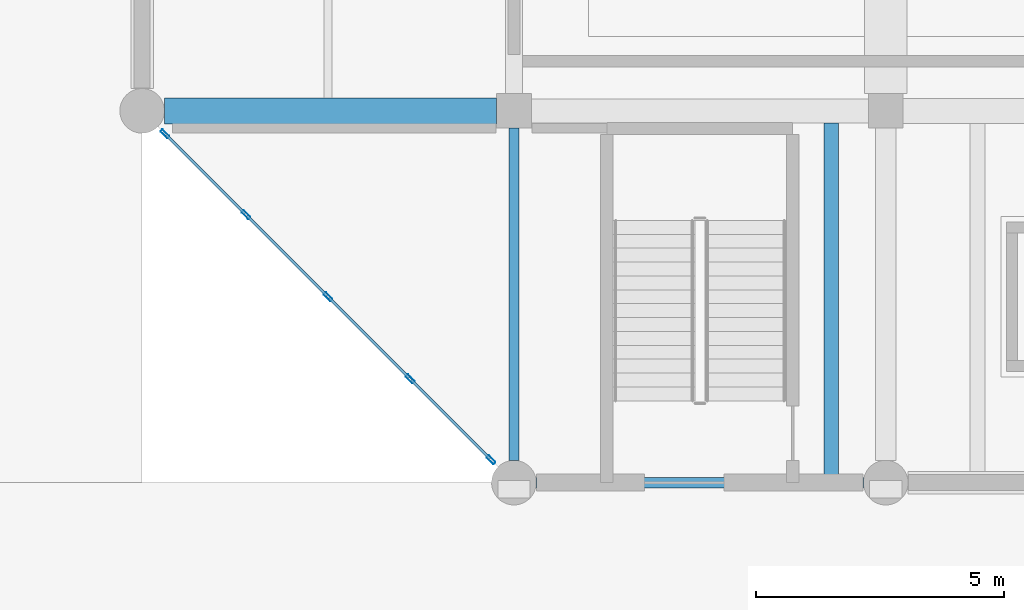
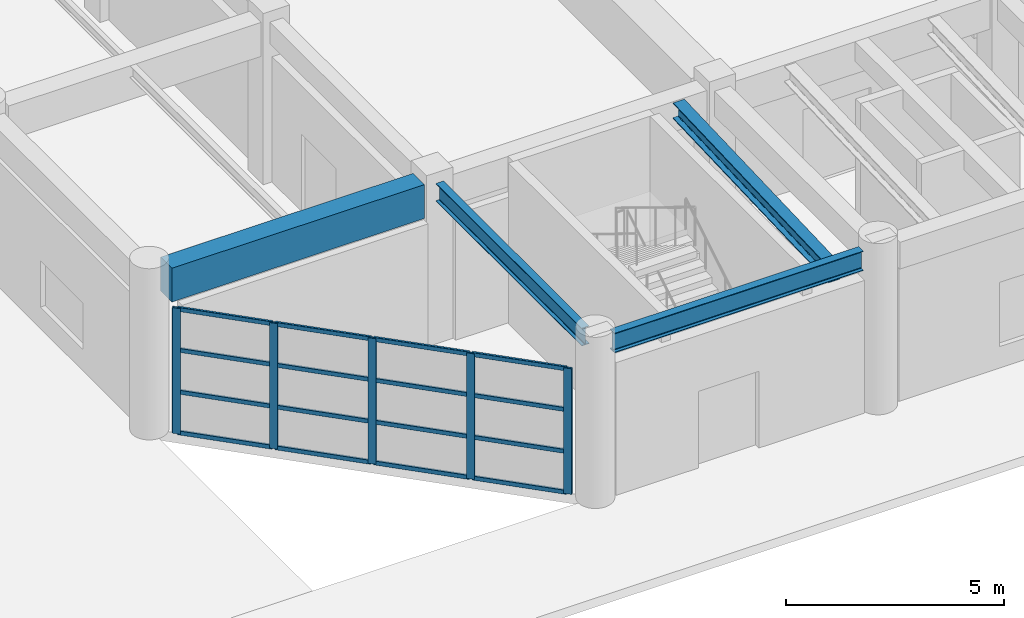
# One storey, part 52 of 122: 21 members, 4 beams, 1 element without a shape of its own.
"""IFC4 building model written with IfcOpenShell, lengths in metres."""

from ifc_helpers import new_model, si_unit, direction, frame, origin, origin_2d, place, context, subcontext, project, spatial, rectangle, hollow_rectangle, i_section, extrude, material, material_profile, profile_set, type_object, element, aggregate, save


model = new_model("IFC4")

# Units and contexts
model_context = context("Model", 3, precision=1e-05, world=origin(), true_north=direction((0.0, 1.0)))
body_context = subcontext(model_context, "Body", "Model", "MODEL_VIEW")
ifc_project = project(units=[si_unit("LENGTHUNIT", "METRE"), si_unit("AREAUNIT", "SQUARE_METRE"), si_unit("VOLUMEUNIT", "CUBIC_METRE"), si_unit("PLANEANGLEUNIT", "RADIAN"), si_unit("MASSUNIT", "GRAM", prefix="KILO")], contexts=[model_context])

# Site, building, storey
site_placement = place(None, origin())
site = spatial("IfcSite", under=ifc_project, at=site_placement, CompositionType="ELEMENT")
building_placement = place(site_placement, origin())
building = spatial("IfcBuilding", under=site, at=building_placement, Name="Qasida Concert Hall", CompositionType="ELEMENT")
storey_placement = place(building_placement, origin())
storey = spatial("IfcBuildingStorey", under=building, at=storey_placement, Name="L00", CompositionType="ELEMENT", Elevation=0.0)

# Beams
ifc_material_1 = material(Name="Steel S355J2", Category="steel")
ifc_material_profile_1 = material_profile(ifc_material_1, i_section(OverallWidth=0.199951171875, OverallDepth=0.5, WebThickness=0.01025390625, FlangeThickness=0.01611328125, FilletRadius=0.02099609375, at=origin_2d()), Name="IPE 500")
ifc_profile_set_1 = profile_set([ifc_material_profile_1], Name="Steel S355J2")
beam_type_1 = type_object("IfcBeamType", Name="BM-B4", PredefinedType="BEAM", material=ifc_profile_set_1)
beam_1_placement = place(storey_placement, frame((135.0, 0.449951171875, 4.25), z_axis=(0.0, 1.0, 0.0), x_axis=(-1.0, 0.0, 0.0)))
element("IfcBeam", 1, at=beam_1_placement, inside=storey, type_object=beam_type_1, Name="L00 girder 0484", PredefinedType="BEAM", context=body_context, shape_type="SweptSolid", body=[
    extrude(i_section(OverallWidth=0.199951171875, OverallDepth=0.5, WebThickness=0.01025390625, FlangeThickness=0.01611328125, FilletRadius=0.02099609375, at=origin_2d()), origin(), (0.0, 0.0, 1.0), 6.699951171875),
])
ifc_material_2 = material(Name="Concrete C40/50", Category="concrete")
ifc_material_profile_2 = material_profile(ifc_material_2, rectangle(XDim=0.52001953125, YDim=0.949951171875, at=origin_2d()), Name="RC 520x950")
ifc_profile_set_2 = profile_set([ifc_material_profile_2], Name="Concrete C40/50")
beam_type_2 = type_object("IfcBeamType", Name="BM-G7", PredefinedType="USERDEFINED", material=ifc_profile_set_2)
beam_2_placement = place(storey_placement, frame((127.949951171875, 7.5, 4.02490234375), z_axis=(1.0, 0.0, 0.0), x_axis=(0.0, 1.0, 0.0)))
element("IfcBeam", 2, at=beam_2_placement, inside=storey, type_object=beam_type_2, Name="Primary girder 0467", ObjectType="GIRDER", PredefinedType="USERDEFINED", context=body_context, shape_type="SweptSolid", body=[
    extrude(rectangle(XDim=0.52001953125, YDim=0.949951171875, at=origin_2d()), origin(), (0.0, 0.0, 1.0), 6.699951171875),
])
ifc_material_profile_3 = material_profile(ifc_material_1, i_section(OverallWidth=0.300048828125, OverallDepth=0.449951171875, WebThickness=0.013916015625, FlangeThickness=0.02587890625, FilletRadius=0.027099609375, at=origin_2d()), Name="HEB 450")
ifc_profile_set_3 = profile_set([ifc_material_profile_3], Name="Steel S355J2")
beam_type_3 = type_object("IfcBeamType", Name="BM-RK3", PredefinedType="USERDEFINED", material=ifc_profile_set_3)
beam_3_placement = place(storey_placement, frame((141.39990234375, 0.10498046875, 3.97998046875), z_axis=(0.0, 0.999288665383, 0.03771157962), x_axis=(-1.0, 0.0, 0.0)))
element("IfcBeam", 3, at=beam_3_placement, inside=storey, type_object=beam_type_3, Name="Raker beam RK-011", ObjectType="RAKER", PredefinedType="USERDEFINED", context=body_context, shape_type="SweptSolid", body=[
    extrude(i_section(OverallWidth=0.300048828125, OverallDepth=0.449951171875, WebThickness=0.013916015625, FlangeThickness=0.02587890625, FilletRadius=0.027099609375, at=origin_2d()), origin(), (0.0, 0.0, 1.0), 7.16015625),
])
ifc_material_profile_4 = material_profile(ifc_material_1, i_section(OverallWidth=0.2099609375, OverallDepth=0.550048828125, WebThickness=0.010986328125, FlangeThickness=0.01708984375, FilletRadius=0.02392578125, at=origin_2d()), Name="IPE 550")
ifc_profile_set_4 = profile_set([ifc_material_profile_4], Name="Steel S355J2")
beam_type_4 = type_object("IfcBeamType", Name="BM-SP2", PredefinedType="SPANDREL", material=ifc_profile_set_4)
beam_4_placement = place(storey_placement, frame((135.449951171875, 0.0, 4.22509765625), z_axis=(1.0, 0.0, 0.0), x_axis=(0.0, 1.0, 0.0)))
element("IfcBeam", 4, at=beam_4_placement, inside=storey, type_object=beam_type_4, Name="Primary girder 0464", PredefinedType="SPANDREL", context=body_context, shape_type="SweptSolid", body=[
    extrude(i_section(OverallWidth=0.2099609375, OverallDepth=0.550048828125, WebThickness=0.010986328125, FlangeThickness=0.01708984375, FilletRadius=0.02392578125, at=origin_2d()), origin(), (0.0, 0.0, 1.0), 6.60009765625),
])

# Curtain wall, members
ifc_material_3 = material(Name="Architectural bronze-anodized aluminium and low-E glass", Category="aluminium")
curtain_wall_type = type_object("IfcCurtainWallType", Name="CW-07", PredefinedType="NOTDEFINED", material=ifc_material_3)
curtain_wall_placement = place(storey_placement, origin())
curtain_wall = element("IfcCurtainWall", 5, at=curtain_wall_placement, inside=storey, type_object=curtain_wall_type, Name="L00 curtain wall CW-07 0142", PredefinedType="NOTDEFINED")
ifc_material_4 = material(Name="Architectural bronze-anodized aluminium EN AW-6063", Category="aluminium")
ifc_material_profile_5 = material_profile(ifc_material_4, hollow_rectangle(XDim=0.06494140625, YDim=0.199951171875, WallThickness=0.0048828125, InnerFilletRadius=0.0048828125, OuterFilletRadius=0.010009765625, at=origin_2d()), Name="CWM 200x65x5")
ifc_profile_set_5 = profile_set([ifc_material_profile_5], Name="Architectural bronze-anodized aluminium EN AW-6063")
member_type_1 = type_object("IfcMemberType", Name="MB-CWM-2", PredefinedType="MULLION", material=ifc_profile_set_5)
member_1_placement = place(storey_placement, frame((127.96142578125, 7.03857421875, 0.0), z_axis=(0.0, 0.0, 1.0), x_axis=(0.707106781187, 0.707106781187, 0.0)))
member_1 = element("IfcMember", 6, at=member_1_placement, type_object=member_type_1, Name="CW-07 mullion 1", PredefinedType="MULLION", context=body_context, shape_type="SweptSolid", body=[
    extrude(hollow_rectangle(XDim=0.06494140625, YDim=0.199951171875, WallThickness=0.0048828125, InnerFilletRadius=0.0048828125, OuterFilletRadius=0.010009765625, at=origin_2d()), origin(), (0.0, 0.0, 1.0), 3.52001953125),
])
member_2_placement = place(storey_placement, frame((129.59423828125, 5.40576171875, 0.0), z_axis=(0.0, 0.0, 1.0), x_axis=(0.707106781187, 0.707106781187, 0.0)))
member_2 = element("IfcMember", 7, at=member_2_placement, type_object=member_type_1, Name="CW-07 mullion 2", PredefinedType="MULLION", context=body_context, shape_type="SweptSolid", body=[
    extrude(hollow_rectangle(XDim=0.06494140625, YDim=0.199951171875, WallThickness=0.0048828125, InnerFilletRadius=0.0048828125, OuterFilletRadius=0.010009765625, at=origin_2d()), origin(), (0.0, 0.0, 1.0), 3.52001953125),
])
member_3_placement = place(storey_placement, frame((131.25, 3.75, 0.0), z_axis=(0.0, 0.0, 1.0), x_axis=(0.707106781187, 0.707106781187, 0.0)))
member_3 = element("IfcMember", 8, at=member_3_placement, type_object=member_type_1, Name="CW-07 mullion 3", PredefinedType="MULLION", context=body_context, shape_type="SweptSolid", body=[
    extrude(hollow_rectangle(XDim=0.06494140625, YDim=0.199951171875, WallThickness=0.0048828125, InnerFilletRadius=0.0048828125, OuterFilletRadius=0.010009765625, at=origin_2d()), origin(), (0.0, 0.0, 1.0), 3.52001953125),
])
member_4_placement = place(storey_placement, frame((132.90576171875, 2.09423828125, 0.0), z_axis=(0.0, 0.0, 1.0), x_axis=(0.707106781187, 0.707106781187, 0.0)))
member_4 = element("IfcMember", 9, at=member_4_placement, type_object=member_type_1, Name="CW-07 mullion 4", PredefinedType="MULLION", context=body_context, shape_type="SweptSolid", body=[
    extrude(hollow_rectangle(XDim=0.06494140625, YDim=0.199951171875, WallThickness=0.0048828125, InnerFilletRadius=0.0048828125, OuterFilletRadius=0.010009765625, at=origin_2d()), origin(), (0.0, 0.0, 1.0), 3.52001953125),
])
member_5_placement = place(storey_placement, frame((134.53857421875, 0.46142578125, 0.0), z_axis=(0.0, 0.0, 1.0), x_axis=(0.707106781187, 0.707106781187, 0.0)))
member_5 = element("IfcMember", 10, at=member_5_placement, type_object=member_type_1, Name="CW-07 mullion 5", PredefinedType="MULLION", context=body_context, shape_type="SweptSolid", body=[
    extrude(hollow_rectangle(XDim=0.06494140625, YDim=0.199951171875, WallThickness=0.0048828125, InnerFilletRadius=0.0048828125, OuterFilletRadius=0.010009765625, at=origin_2d()), origin(), (0.0, 0.0, 1.0), 3.52001953125),
])
ifc_material_profile_6 = material_profile(ifc_material_4, hollow_rectangle(XDim=0.06005859375, YDim=0.1201171875, WallThickness=0.00390625, InnerFilletRadius=0.00390625, OuterFilletRadius=0.008056640625, at=origin_2d()), Name="CWT 120x60x4")
ifc_profile_set_6 = profile_set([ifc_material_profile_6], Name="Architectural bronze-anodized aluminium EN AW-6063")
member_type_2 = type_object("IfcMemberType", Name="MB-CWT-2", PredefinedType="USERDEFINED", material=ifc_profile_set_6)
member_6_placement = place(storey_placement, frame((127.984375, 7.015625, 0.030029296875), z_axis=(0.707106781187, -0.707106781187, 0.0), x_axis=(0.707106781187, 0.707106781187, 0.0)))
member_6 = element("IfcMember", 11, at=member_6_placement, type_object=member_type_2, Name="CW-07 transom 1.1", ObjectType="TRANSOM", PredefinedType="USERDEFINED", context=body_context, shape_type="SweptSolid", body=[
    extrude(hollow_rectangle(XDim=0.06005859375, YDim=0.1201171875, WallThickness=0.00390625, InnerFilletRadius=0.00390625, OuterFilletRadius=0.008056640625, at=origin_2d()), origin(), (0.0, 0.0, 1.0), 2.244140625),
])
member_7_placement = place(storey_placement, frame((127.984375, 7.015625, 1.17333984375), z_axis=(0.707106781187, -0.707106781187, 0.0), x_axis=(0.707106781187, 0.707106781187, 0.0)))
member_7 = element("IfcMember", 12, at=member_7_placement, type_object=member_type_2, Name="CW-07 transom 1.2", ObjectType="TRANSOM", PredefinedType="USERDEFINED", context=body_context, shape_type="SweptSolid", body=[
    extrude(hollow_rectangle(XDim=0.06005859375, YDim=0.1201171875, WallThickness=0.00390625, InnerFilletRadius=0.00390625, OuterFilletRadius=0.008056640625, at=origin_2d()), origin(), (0.0, 0.0, 1.0), 2.244140625),
])
member_8_placement = place(storey_placement, frame((127.984375, 7.015625, 2.3466796875), z_axis=(0.707106781187, -0.707106781187, 0.0), x_axis=(0.707106781187, 0.707106781187, 0.0)))
member_8 = element("IfcMember", 13, at=member_8_placement, type_object=member_type_2, Name="CW-07 transom 1.3", ObjectType="TRANSOM", PredefinedType="USERDEFINED", context=body_context, shape_type="SweptSolid", body=[
    extrude(hollow_rectangle(XDim=0.06005859375, YDim=0.1201171875, WallThickness=0.00390625, InnerFilletRadius=0.00390625, OuterFilletRadius=0.008056640625, at=origin_2d()), origin(), (0.0, 0.0, 1.0), 2.244140625),
])
member_9_placement = place(storey_placement, frame((127.984375, 7.015625, 3.489990234375), z_axis=(0.707106781187, -0.707106781187, 0.0), x_axis=(0.707106781187, 0.707106781187, 0.0)))
member_9 = element("IfcMember", 14, at=member_9_placement, type_object=member_type_2, Name="CW-07 transom 1.4", ObjectType="TRANSOM", PredefinedType="USERDEFINED", context=body_context, shape_type="SweptSolid", body=[
    extrude(hollow_rectangle(XDim=0.06005859375, YDim=0.1201171875, WallThickness=0.00390625, InnerFilletRadius=0.00390625, OuterFilletRadius=0.008056640625, at=origin_2d()), origin(), (0.0, 0.0, 1.0), 2.244140625),
])
member_10_placement = place(storey_placement, frame((129.6171875, 5.3828125, 0.030029296875), z_axis=(0.707106781187, -0.707106781187, 0.0), x_axis=(0.707106781187, 0.707106781187, 0.0)))
member_10 = element("IfcMember", 15, at=member_10_placement, type_object=member_type_2, Name="CW-07 transom 2.1", ObjectType="TRANSOM", PredefinedType="USERDEFINED", context=body_context, shape_type="SweptSolid", body=[
    extrude(hollow_rectangle(XDim=0.06005859375, YDim=0.1201171875, WallThickness=0.00390625, InnerFilletRadius=0.00390625, OuterFilletRadius=0.008056640625, at=origin_2d()), origin(), (0.0, 0.0, 1.0), 2.276611328125),
])
member_11_placement = place(storey_placement, frame((129.6171875, 5.3828125, 1.17333984375), z_axis=(0.707106781187, -0.707106781187, 0.0), x_axis=(0.707106781187, 0.707106781187, 0.0)))
member_11 = element("IfcMember", 16, at=member_11_placement, type_object=member_type_2, Name="CW-07 transom 2.2", ObjectType="TRANSOM", PredefinedType="USERDEFINED", context=body_context, shape_type="SweptSolid", body=[
    extrude(hollow_rectangle(XDim=0.06005859375, YDim=0.1201171875, WallThickness=0.00390625, InnerFilletRadius=0.00390625, OuterFilletRadius=0.008056640625, at=origin_2d()), origin(), (0.0, 0.0, 1.0), 2.276611328125),
])
member_12_placement = place(storey_placement, frame((129.6171875, 5.3828125, 2.3466796875), z_axis=(0.707106781187, -0.707106781187, 0.0), x_axis=(0.707106781187, 0.707106781187, 0.0)))
member_12 = element("IfcMember", 17, at=member_12_placement, type_object=member_type_2, Name="CW-07 transom 2.3", ObjectType="TRANSOM", PredefinedType="USERDEFINED", context=body_context, shape_type="SweptSolid", body=[
    extrude(hollow_rectangle(XDim=0.06005859375, YDim=0.1201171875, WallThickness=0.00390625, InnerFilletRadius=0.00390625, OuterFilletRadius=0.008056640625, at=origin_2d()), origin(), (0.0, 0.0, 1.0), 2.276611328125),
])
member_13_placement = place(storey_placement, frame((129.6171875, 5.3828125, 3.489990234375), z_axis=(0.707106781187, -0.707106781187, 0.0), x_axis=(0.707106781187, 0.707106781187, 0.0)))
member_13 = element("IfcMember", 18, at=member_13_placement, type_object=member_type_2, Name="CW-07 transom 2.4", ObjectType="TRANSOM", PredefinedType="USERDEFINED", context=body_context, shape_type="SweptSolid", body=[
    extrude(hollow_rectangle(XDim=0.06005859375, YDim=0.1201171875, WallThickness=0.00390625, InnerFilletRadius=0.00390625, OuterFilletRadius=0.008056640625, at=origin_2d()), origin(), (0.0, 0.0, 1.0), 2.276611328125),
])
member_14_placement = place(storey_placement, frame((131.27294921875, 3.72705078125, 0.030029296875), z_axis=(0.707106781187, -0.707106781187, 0.0), x_axis=(0.707106781187, 0.707106781187, 0.0)))
member_14 = element("IfcMember", 19, at=member_14_placement, type_object=member_type_2, Name="CW-07 transom 3.1", ObjectType="TRANSOM", PredefinedType="USERDEFINED", context=body_context, shape_type="SweptSolid", body=[
    extrude(hollow_rectangle(XDim=0.06005859375, YDim=0.1201171875, WallThickness=0.00390625, InnerFilletRadius=0.00390625, OuterFilletRadius=0.008056640625, at=origin_2d()), origin(), (0.0, 0.0, 1.0), 2.276611328125),
])
member_15_placement = place(storey_placement, frame((131.27294921875, 3.72705078125, 1.17333984375), z_axis=(0.707106781187, -0.707106781187, 0.0), x_axis=(0.707106781187, 0.707106781187, 0.0)))
member_15 = element("IfcMember", 20, at=member_15_placement, type_object=member_type_2, Name="CW-07 transom 3.2", ObjectType="TRANSOM", PredefinedType="USERDEFINED", context=body_context, shape_type="SweptSolid", body=[
    extrude(hollow_rectangle(XDim=0.06005859375, YDim=0.1201171875, WallThickness=0.00390625, InnerFilletRadius=0.00390625, OuterFilletRadius=0.008056640625, at=origin_2d()), origin(), (0.0, 0.0, 1.0), 2.276611328125),
])
member_16_placement = place(storey_placement, frame((131.27294921875, 3.72705078125, 2.3466796875), z_axis=(0.707106781187, -0.707106781187, 0.0), x_axis=(0.707106781187, 0.707106781187, 0.0)))
member_16 = element("IfcMember", 21, at=member_16_placement, type_object=member_type_2, Name="CW-07 transom 3.3", ObjectType="TRANSOM", PredefinedType="USERDEFINED", context=body_context, shape_type="SweptSolid", body=[
    extrude(hollow_rectangle(XDim=0.06005859375, YDim=0.1201171875, WallThickness=0.00390625, InnerFilletRadius=0.00390625, OuterFilletRadius=0.008056640625, at=origin_2d()), origin(), (0.0, 0.0, 1.0), 2.276611328125),
])
member_17_placement = place(storey_placement, frame((131.27294921875, 3.72705078125, 3.489990234375), z_axis=(0.707106781187, -0.707106781187, 0.0), x_axis=(0.707106781187, 0.707106781187, 0.0)))
member_17 = element("IfcMember", 22, at=member_17_placement, type_object=member_type_2, Name="CW-07 transom 3.4", ObjectType="TRANSOM", PredefinedType="USERDEFINED", context=body_context, shape_type="SweptSolid", body=[
    extrude(hollow_rectangle(XDim=0.06005859375, YDim=0.1201171875, WallThickness=0.00390625, InnerFilletRadius=0.00390625, OuterFilletRadius=0.008056640625, at=origin_2d()), origin(), (0.0, 0.0, 1.0), 2.276611328125),
])
member_18_placement = place(storey_placement, frame((132.9287109375, 2.0712890625, 0.030029296875), z_axis=(0.707106781187, -0.707106781187, 0.0), x_axis=(0.707106781187, 0.707106781187, 0.0)))
member_18 = element("IfcMember", 23, at=member_18_placement, type_object=member_type_2, Name="CW-07 transom 4.1", ObjectType="TRANSOM", PredefinedType="USERDEFINED", context=body_context, shape_type="SweptSolid", body=[
    extrude(hollow_rectangle(XDim=0.06005859375, YDim=0.1201171875, WallThickness=0.00390625, InnerFilletRadius=0.00390625, OuterFilletRadius=0.008056640625, at=origin_2d()), origin(), (0.0, 0.0, 1.0), 2.244140625),
])
member_19_placement = place(storey_placement, frame((132.9287109375, 2.0712890625, 1.17333984375), z_axis=(0.707106781187, -0.707106781187, 0.0), x_axis=(0.707106781187, 0.707106781187, 0.0)))
member_19 = element("IfcMember", 24, at=member_19_placement, type_object=member_type_2, Name="CW-07 transom 4.2", ObjectType="TRANSOM", PredefinedType="USERDEFINED", context=body_context, shape_type="SweptSolid", body=[
    extrude(hollow_rectangle(XDim=0.06005859375, YDim=0.1201171875, WallThickness=0.00390625, InnerFilletRadius=0.00390625, OuterFilletRadius=0.008056640625, at=origin_2d()), origin(), (0.0, 0.0, 1.0), 2.244140625),
])
member_20_placement = place(storey_placement, frame((132.9287109375, 2.0712890625, 2.3466796875), z_axis=(0.707106781187, -0.707106781187, 0.0), x_axis=(0.707106781187, 0.707106781187, 0.0)))
member_20 = element("IfcMember", 25, at=member_20_placement, type_object=member_type_2, Name="CW-07 transom 4.3", ObjectType="TRANSOM", PredefinedType="USERDEFINED", context=body_context, shape_type="SweptSolid", body=[
    extrude(hollow_rectangle(XDim=0.06005859375, YDim=0.1201171875, WallThickness=0.00390625, InnerFilletRadius=0.00390625, OuterFilletRadius=0.008056640625, at=origin_2d()), origin(), (0.0, 0.0, 1.0), 2.244140625),
])
member_21_placement = place(storey_placement, frame((132.9287109375, 2.0712890625, 3.489990234375), z_axis=(0.707106781187, -0.707106781187, 0.0), x_axis=(0.707106781187, 0.707106781187, 0.0)))
member_21 = element("IfcMember", 26, at=member_21_placement, type_object=member_type_2, Name="CW-07 transom 4.4", ObjectType="TRANSOM", PredefinedType="USERDEFINED", context=body_context, shape_type="SweptSolid", body=[
    extrude(hollow_rectangle(XDim=0.06005859375, YDim=0.1201171875, WallThickness=0.00390625, InnerFilletRadius=0.00390625, OuterFilletRadius=0.008056640625, at=origin_2d()), origin(), (0.0, 0.0, 1.0), 2.244140625),
])
aggregate(curtain_wall, [member_1, member_2, member_3, member_4, member_5, member_6, member_7, member_8, member_9, member_10, member_11, member_12, member_13, member_14, member_15, member_16, member_17, member_18, member_19, member_20, member_21])

save(model, "model.ifc")
